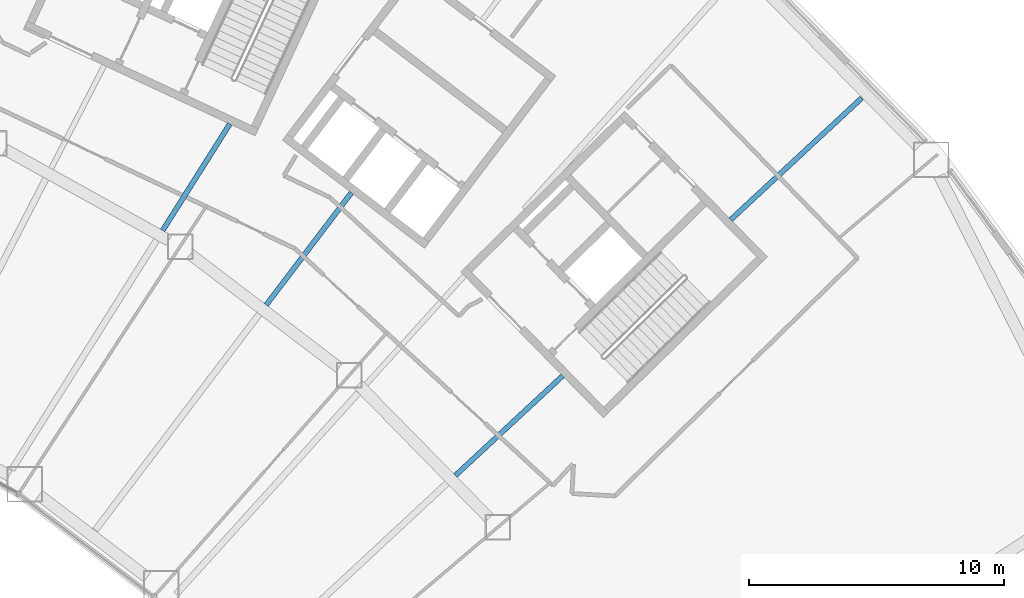
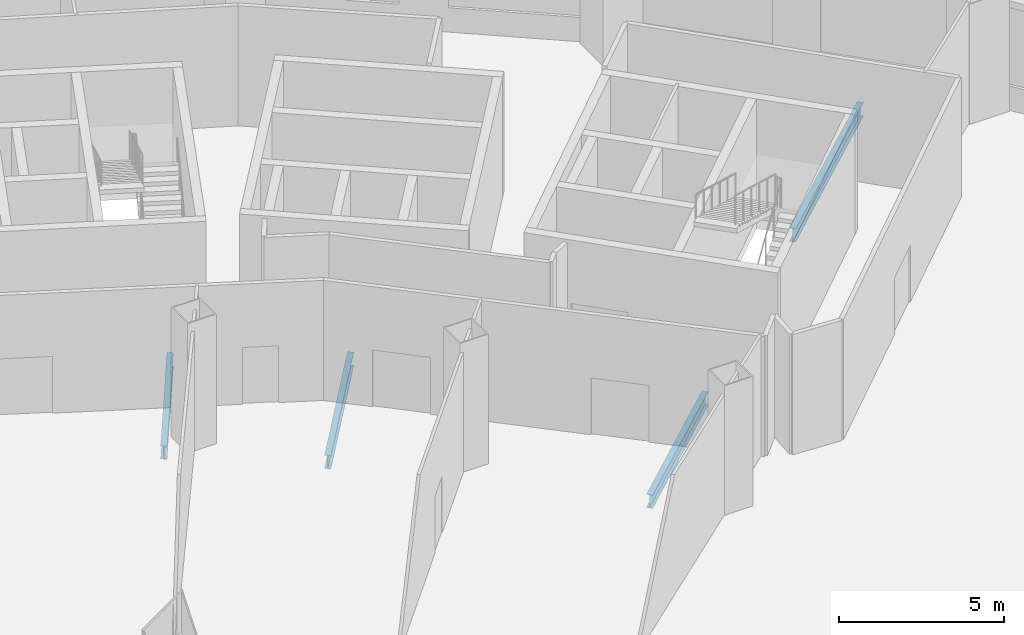
# One storey, part 12 of 26: 4 beams.
"""IFC4 building model written with IfcOpenShell, lengths in metres."""

from ifc_helpers import new_model, si_unit, direction, frame, origin, origin_2d, place, context, subcontext, project, spatial, i_section, extrude, material, material_profile, profile_set, type_object, element, save


model = new_model("IFC4")

# Units and contexts
model_context = context("Model", 3, precision=1e-05, world=origin(), true_north=direction((0.0, 1.0)))
body_context = subcontext(model_context, "Body", "Model", "MODEL_VIEW")
ifc_project = project(units=[si_unit("LENGTHUNIT", "METRE"), si_unit("AREAUNIT", "SQUARE_METRE"), si_unit("VOLUMEUNIT", "CUBIC_METRE"), si_unit("PLANEANGLEUNIT", "RADIAN"), si_unit("MASSUNIT", "GRAM", prefix="KILO")], contexts=[model_context])

# Site, building, storey
site_placement = place(None, origin())
site = spatial("IfcSite", under=ifc_project, at=site_placement, CompositionType="ELEMENT")
building_placement = place(site_placement, origin())
building = spatial("IfcBuilding", under=site, at=building_placement, Name="Tuul Gate Civic Tower", CompositionType="ELEMENT")
storey_placement = place(building_placement, frame((0.0, 0.0, 7.5)))
storey = spatial("IfcBuildingStorey", under=building, at=storey_placement, Name="Level 01", CompositionType="ELEMENT", Elevation=7.5)

# Beams
ifc_material = material(Name="Steel S355", Category="steel")
ifc_material_profile = material_profile(ifc_material, i_section(OverallWidth=0.199951171875, OverallDepth=0.5, WebThickness=0.010009765625, FlangeThickness=0.01611328125, at=origin_2d()), Name="PG500x200x10x16")
ifc_profile_set = profile_set([ifc_material_profile], Name="Steel S355")
beam_type = type_object("IfcBeamType", Name="STR-FLOOR BEAM-PG500x200x10x16", PredefinedType="BEAM", material=ifc_profile_set)
beam_1_placement = place(storey_placement, frame((42.313232421875, -20.696533203125, -0.60009765625), z_axis=(0.732672121193, 0.680581782615, 0.0), x_axis=(-0.680581782615, 0.732672121193, 0.0)))
element("IfcBeam", 1, at=beam_1_placement, inside=storey, type_object=beam_type, Name="Floor beam", PredefinedType="BEAM", context=body_context, shape_type="SweptSolid", body=[
    extrude(i_section(OverallWidth=0.199951171875, OverallDepth=0.5, WebThickness=0.010009765625, FlangeThickness=0.01611328125, at=origin_2d()), origin(), (0.0, 0.0, 1.0), 5.73193359375),
])
beam_2_placement = place(storey_placement, frame((53.109375, -10.668212890625, -0.60009765625), z_axis=(0.732687862246, 0.680564836381, 0.0), x_axis=(-0.680564836381, 0.732687862246, 0.0)))
element("IfcBeam", 2, at=beam_2_placement, inside=storey, type_object=beam_type, Name="Floor beam", PredefinedType="BEAM", context=body_context, shape_type="SweptSolid", body=[
    extrude(i_section(OverallWidth=0.199951171875, OverallDepth=0.5, WebThickness=0.010009765625, FlangeThickness=0.01611328125, at=origin_2d()), origin(), (0.0, 0.0, 1.0), 6.997802734375),
])
beam_3_placement = place(storey_placement, frame((34.8984375, -14.01220703125, -0.60009765625), z_axis=(0.604519082905, 0.79659065925, 0.0), x_axis=(-0.79659065925, 0.604519082905, 0.0)))
element("IfcBeam", 3, at=beam_3_placement, inside=storey, type_object=beam_type, Name="Floor beam", PredefinedType="BEAM", context=body_context, shape_type="SweptSolid", body=[
    extrude(i_section(OverallWidth=0.199951171875, OverallDepth=0.5, WebThickness=0.010009765625, FlangeThickness=0.01611328125, at=origin_2d()), origin(), (0.0, 0.0, 1.0), 5.520263671875),
])
beam_4_placement = place(storey_placement, frame((30.841552734375, -11.089599609375, -0.60009765625), z_axis=(0.533401895613, 0.845861937763, 0.0), x_axis=(-0.845861937763, 0.533401895613, 0.0)))
element("IfcBeam", 4, at=beam_4_placement, inside=storey, type_object=beam_type, Name="Floor beam", PredefinedType="BEAM", context=body_context, shape_type="SweptSolid", body=[
    extrude(i_section(OverallWidth=0.199951171875, OverallDepth=0.5, WebThickness=0.010009765625, FlangeThickness=0.01611328125, at=origin_2d()), origin(), (0.0, 0.0, 1.0), 4.92724609375),
])

save(model, "model.ifc")
